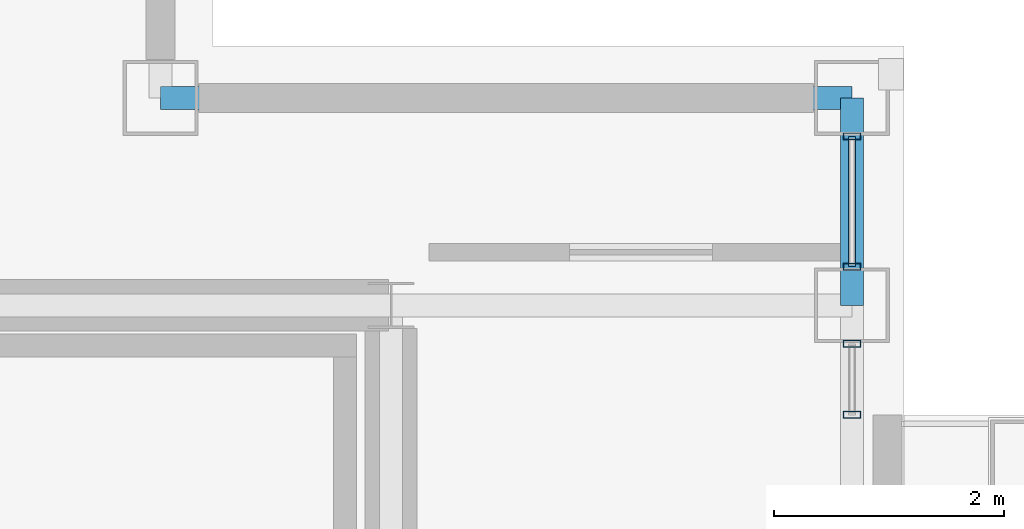
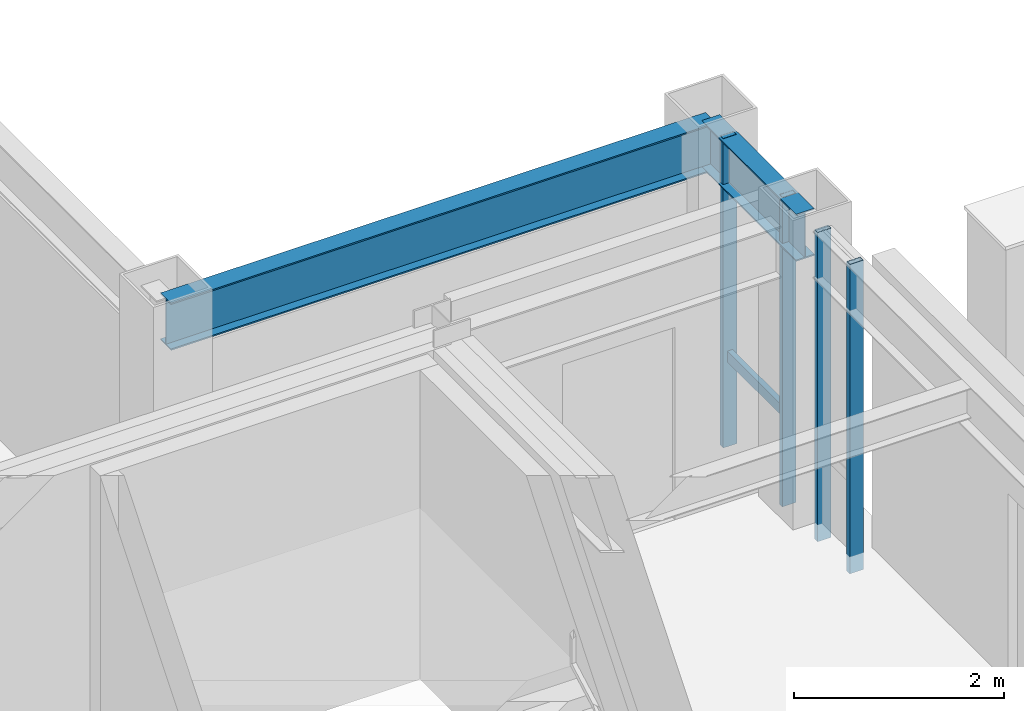
# One storey, part 13 of 24: 5 members, 2 beams, 2 elements without a shape of their own.
"""IFC4 building model written with IfcOpenShell, lengths in metres."""

from ifc_helpers import new_model, si_unit, direction, frame, origin, origin_2d, place, context, subcontext, project, spatial, hollow_rectangle, i_section, extrude, material, layer, layer_set, material_profile, profile_set, type_object, element, aggregate, save


model = new_model("IFC4")

# Units and contexts
model_context = context("Model", 3, precision=1e-05, world=origin(), true_north=direction((0.0, 1.0)))
body_context = subcontext(model_context, "Body", "Model", "MODEL_VIEW")
ifc_project = project(units=[si_unit("LENGTHUNIT", "METRE"), si_unit("AREAUNIT", "SQUARE_METRE"), si_unit("VOLUMEUNIT", "CUBIC_METRE"), si_unit("PLANEANGLEUNIT", "RADIAN"), si_unit("MASSUNIT", "GRAM", prefix="KILO")], contexts=[model_context])

# Site, building, storey
site_placement = place(None, origin())
site = spatial("IfcSite", under=ifc_project, at=site_placement, CompositionType="ELEMENT")
building_placement = place(site_placement, origin())
building = spatial("IfcBuilding", under=site, at=building_placement, Name="Brelmoor Portico Tower", CompositionType="ELEMENT")
storey_placement = place(building_placement, frame((0.0, 0.0, 232.800048828125)))
storey = spatial("IfcBuildingStorey", under=building, at=storey_placement, Name="L61", CompositionType="ELEMENT", Elevation=232.800048828125)

# Beams
ifc_material_1 = material(Name="Steel Q355B", Category="steel")
ifc_material_profile_1 = material_profile(ifc_material_1, i_section(OverallWidth=0.199951171875, OverallDepth=0.550048828125, WebThickness=0.010009765625, FlangeThickness=0.01611328125, at=origin_2d()), Name="HN 550x200x10x16")
ifc_profile_set_1 = profile_set([ifc_material_profile_1], Name="Steel Q355B")
beam_type = type_object("IfcBeamType", Name="BM-SP-550", PredefinedType="SPANDREL", material=ifc_profile_set_1)
beam_1_placement = place(storey_placement, frame((12.550048828125, 11.550048828125, 3.125), z_axis=(1.0, 0.0, 0.0), x_axis=(0.0, 1.0, 0.0)))
element("IfcBeam", 1, at=beam_1_placement, inside=storey, type_object=beam_type, Name="L61 Perimeter Spandrel Beam SP-07", PredefinedType="SPANDREL", context=body_context, shape_type="SweptSolid", body=[
    extrude(i_section(OverallWidth=0.199951171875, OverallDepth=0.550048828125, WebThickness=0.010009765625, FlangeThickness=0.01611328125, at=origin_2d()), origin(), (0.0, 0.0, 1.0), 6.0),
])
beam_2_placement = place(storey_placement, frame((18.550048828125, 9.75, 3.125), z_axis=(0.0, 1.0, 0.0), x_axis=(-1.0, 0.0, 0.0)))
element("IfcBeam", 2, at=beam_2_placement, inside=storey, type_object=beam_type, Name="L61 Perimeter Spandrel Beam SP-20", PredefinedType="SPANDREL", context=body_context, shape_type="SweptSolid", body=[
    extrude(i_section(OverallWidth=0.199951171875, OverallDepth=0.550048828125, WebThickness=0.010009765625, FlangeThickness=0.01611328125, at=origin_2d()), origin(), (0.0, 0.0, 1.0), 1.800048828125),
])

# Curtain wall, members
ifc_material_2 = material(Name="Anodised Aluminium Alloy 6063-T6", Category="aluminium")
ifc_layer = layer(ifc_material_2, 0.179931640625)
ifc_layer_set = layer_set([ifc_layer], Name="Anodised Aluminium Alloy 6063-T6")
curtain_wall_type = type_object("IfcCurtainWallType", Name="CW-TOWER-Z4", PredefinedType="NOTDEFINED", material=ifc_layer_set)
curtain_wall_1_placement = place(storey_placement, origin())
curtain_wall_1 = element("IfcCurtainWall", 3, at=curtain_wall_1_placement, inside=storey, type_object=curtain_wall_type, Name="L61 Curtain Wall CW-L61-4R-1", PredefinedType="NOTDEFINED")
ifc_material_profile_2 = material_profile(ifc_material_2, hollow_rectangle(XDim=0.06005859375, YDim=0.14990234375, WallThickness=0.00390625, at=origin_2d()), Name="ALU MULLION 60x150")
ifc_profile_set_2 = profile_set([ifc_material_profile_2], Name="Anodised Aluminium Alloy 6063-T6")
member_type_1 = type_object("IfcMemberType", Name="MB-CW-MULL-150", PredefinedType="MULLION", material=ifc_profile_set_2)
member_1_placement = place(storey_placement, frame((18.550048828125, 8.800048828125, -0.199951171875), z_axis=(0.0, 0.0, 1.0), x_axis=(0.0, 1.0, 0.0)))
member_1 = element("IfcMember", 4, at=member_1_placement, type_object=member_type_1, Name="CW-L61-4R-1 Mullion 00", PredefinedType="MULLION", context=body_context, shape_type="SweptSolid", body=[
    extrude(hollow_rectangle(XDim=0.06005859375, YDim=0.14990234375, WallThickness=0.00390625, at=origin_2d()), origin(), (0.0, 0.0, 1.0), 3.599853515625),
])
member_2_placement = place(storey_placement, frame((18.550048828125, 9.4150390625, -0.199951171875), z_axis=(0.0, 0.0, 1.0), x_axis=(0.0, 1.0, 0.0)))
member_2 = element("IfcMember", 5, at=member_2_placement, type_object=member_type_1, Name="CW-L61-4R-1 Mullion 01", PredefinedType="MULLION", context=body_context, shape_type="SweptSolid", body=[
    extrude(hollow_rectangle(XDim=0.06005859375, YDim=0.14990234375, WallThickness=0.00390625, at=origin_2d()), origin(), (0.0, 0.0, 1.0), 3.599853515625),
])
aggregate(curtain_wall_1, [member_1, member_2])

curtain_wall_2_placement = place(storey_placement, origin())
curtain_wall_2 = element("IfcCurtainWall", 6, at=curtain_wall_2_placement, inside=storey, type_object=curtain_wall_type, Name="L61 Curtain Wall CW-L61-4R-2", PredefinedType="NOTDEFINED")
member_3_placement = place(storey_placement, frame((18.550048828125, 10.0849609375, -0.199951171875), z_axis=(0.0, 0.0, 1.0), x_axis=(0.0, 1.0, 0.0)))
member_3 = element("IfcMember", 7, at=member_3_placement, type_object=member_type_1, Name="CW-L61-4R-2 Mullion 00", PredefinedType="MULLION", context=body_context, shape_type="SweptSolid", body=[
    extrude(hollow_rectangle(XDim=0.06005859375, YDim=0.14990234375, WallThickness=0.00390625, at=origin_2d()), origin(), (0.0, 0.0, 1.0), 3.599853515625),
])
member_4_placement = place(storey_placement, frame((18.550048828125, 11.215087890625, -0.199951171875), z_axis=(0.0, 0.0, 1.0), x_axis=(0.0, 1.0, 0.0)))
member_4 = element("IfcMember", 8, at=member_4_placement, type_object=member_type_1, Name="CW-L61-4R-2 Mullion 01", PredefinedType="MULLION", context=body_context, shape_type="SweptSolid", body=[
    extrude(hollow_rectangle(XDim=0.06005859375, YDim=0.14990234375, WallThickness=0.00390625, at=origin_2d()), origin(), (0.0, 0.0, 1.0), 3.599853515625),
])
ifc_material_profile_3 = material_profile(ifc_material_2, hollow_rectangle(XDim=0.06005859375, YDim=0.125, WallThickness=0.00341796875, at=origin_2d()), Name="ALU TRANSOM 60x125")
ifc_profile_set_3 = profile_set([ifc_material_profile_3], Name="Anodised Aluminium Alloy 6063-T6")
member_type_2 = type_object("IfcMemberType", Name="MB-CW-TRAN-125", PredefinedType="USERDEFINED", material=ifc_profile_set_3)
member_5_placement = place(storey_placement, frame((18.550048828125, 10.0849609375, 0.849853515625), z_axis=(0.0, 1.0, 0.0), x_axis=(-1.0, 0.0, 0.0)))
member_5 = element("IfcMember", 9, at=member_5_placement, type_object=member_type_2, Name="CW-L61-4R-2 Transom 1-00", ObjectType="TRANSOM", PredefinedType="USERDEFINED", context=body_context, shape_type="SweptSolid", body=[
    extrude(hollow_rectangle(XDim=0.06005859375, YDim=0.125, WallThickness=0.00341796875, at=origin_2d()), origin(), (0.0, 0.0, 1.0), 1.130126953125),
])
aggregate(curtain_wall_2, [member_3, member_4, member_5])

save(model, "model.ifc")
